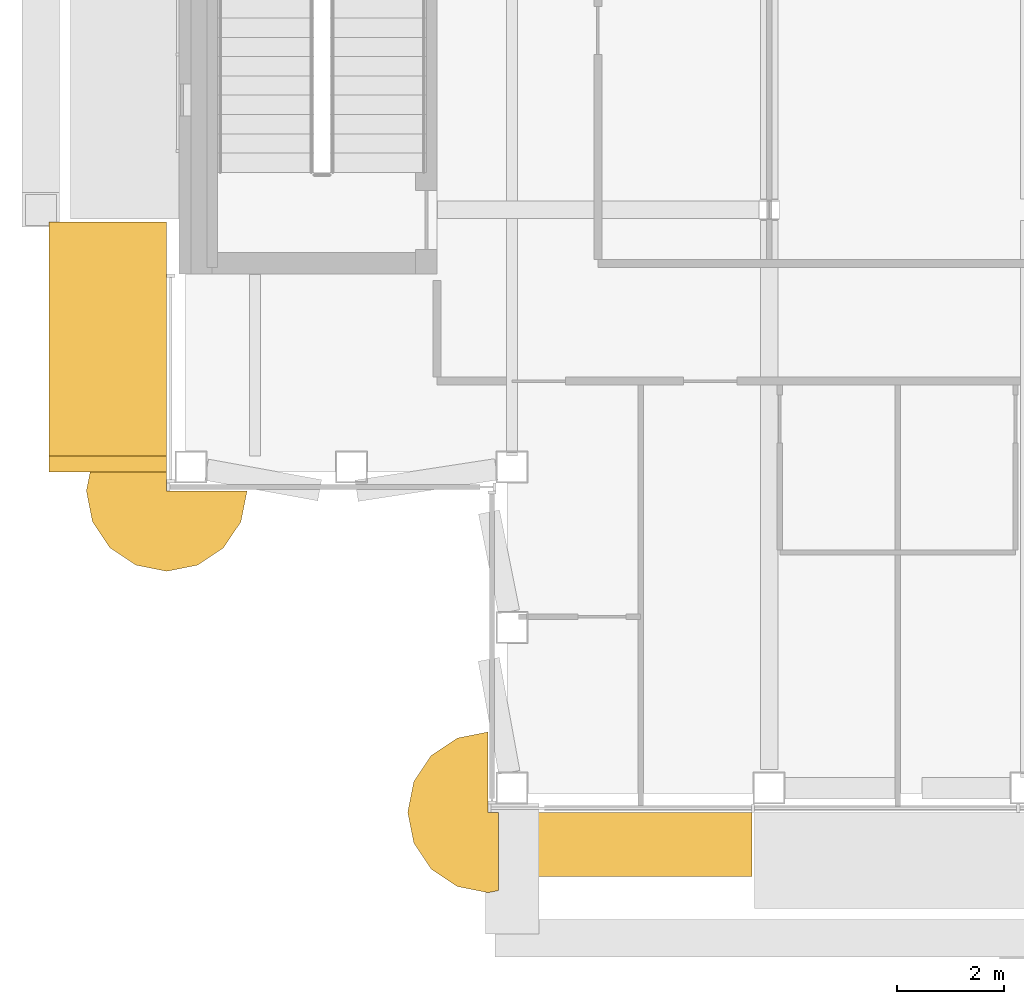
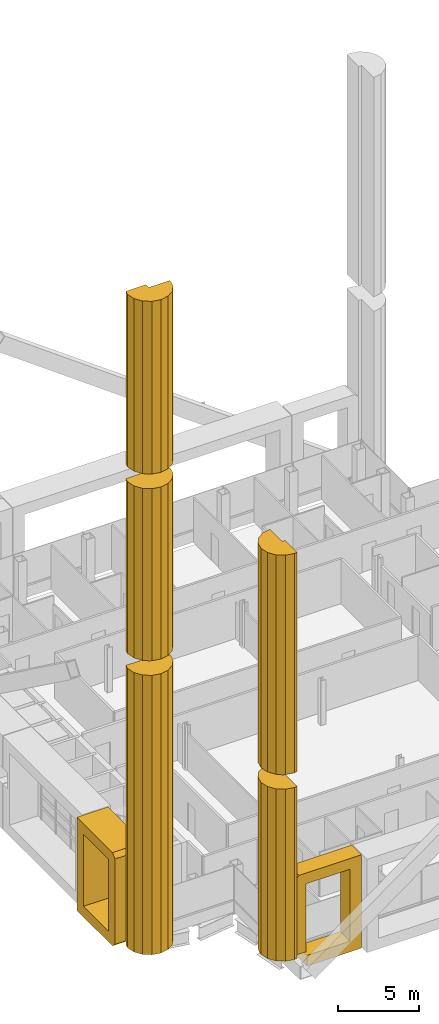
# One storey, part 17 of 29: 7 coverings.
"""IFC4 building model written with IfcOpenShell, lengths in metres."""

from ifc_helpers import new_model, si_unit, direction, frame, origin, place, context, subcontext, project, spatial, polyline, outline, extrude, material, type_object, element, save


model = new_model("IFC4")

# Units and contexts
model_context = context("Model", 3, precision=1e-05, world=origin(), true_north=direction((0.0, 1.0)))
body_context = subcontext(model_context, "Body", "Model", "MODEL_VIEW")
ifc_project = project(units=[si_unit("LENGTHUNIT", "METRE"), si_unit("AREAUNIT", "SQUARE_METRE"), si_unit("VOLUMEUNIT", "CUBIC_METRE"), si_unit("PLANEANGLEUNIT", "RADIAN"), si_unit("MASSUNIT", "GRAM", prefix="KILO")], contexts=[model_context])

# Site, building, storey
site_placement = place(None, origin())
site = spatial("IfcSite", under=ifc_project, at=site_placement, CompositionType="ELEMENT")
building_placement = place(site_placement, origin())
building = spatial("IfcBuilding", under=site, at=building_placement, Name="Cobrizo Arcos Hotel Tower", CompositionType="ELEMENT")
storey_placement = place(building_placement, frame((0.0, 0.0, 241.0)))
storey = spatial("IfcBuildingStorey", under=building, at=storey_placement, Name="L63", CompositionType="ELEMENT", Elevation=241.0)

# Coverings
ifc_material_1 = material(Name="Aluminium 6063-T6 anodised bronze", Category="aluminium")
covering_type_1 = type_object("IfcCoveringType", Name="FIN-F 1200", PredefinedType="CLADDING", material=ifc_material_1)
covering_1_placement = place(storey_placement, frame((-14.64990234375, -20.85009765625, 0.0), z_axis=(0.0, -1.0, 0.0), x_axis=(1.0, 0.0, 0.0)))
element("IfcCovering", 1, at=covering_1_placement, inside=storey, type_object=covering_type_1, Name="Fin frame 407", PredefinedType="CLADDING", context=body_context, shape_type="SweptSolid", body=[
    extrude(outline(polyline([(0.0, 6.699951171875), (0.0, 1.10205078125), (0.800048828125, 1.10205078125), (0.800048828125, 6.199951171875), (3.925048828125, 6.199951171875), (3.925048828125, 0.800048828125), (0.85205078125, 0.800048828125), (0.85205078125, 0.0), (4.72509765625, 0.0), (4.72509765625, 7.0), (0.300048828125, 7.0), (0.0, 6.699951171875)])), origin(), (0.0, 0.0, 1.0), 1.199951171875),
])
covering_type_2 = type_object("IfcCoveringType", Name="FIN-F 2200", PredefinedType="CLADDING", material=ifc_material_1)
covering_2_placement = place(storey_placement, frame((-20.85009765625, -9.824951171875, 0.0), z_axis=(-1.0, 0.0, 0.0), x_axis=(0.0, -1.0, 0.0)))
element("IfcCovering", 2, at=covering_2_placement, inside=storey, type_object=covering_type_2, Name="Fin frame 426", PredefinedType="CLADDING", context=body_context, shape_type="SweptSolid", body=[
    extrude(outline(polyline([(0.0, 7.0), (0.0, 0.0), (4.375, 0.0), (4.675048828125, 0.300048828125), (4.675048828125, 6.699951171875), (4.375, 7.0), (0.0, 7.0)]), holes=[polyline([(3.875, 0.800048828125), (0.800048828125, 0.800048828125), (0.800048828125, 6.199951171875), (3.875, 6.199951171875), (3.875, 0.800048828125)])]), origin(), (0.0, 0.0, 1.0), 2.199951171875),
])
ifc_material_2 = material(Name="Aluminium 6063-T6 anodised pale", Category="aluminium")
covering_type_3 = type_object("IfcCoveringType", Name="RB-2 notch bullnose roll R1500", PredefinedType="CLADDING", material=ifc_material_2)
covering_3_placement = place(storey_placement, frame((0.0, 0.0, 1.050048828125)))
element("IfcCovering", 3, at=covering_3_placement, inside=storey, type_object=covering_type_3, Name="Notch bullnose roll 37", PredefinedType="CLADDING", context=body_context, shape_type="SweptSolid", body=[
    extrude(outline(polyline([(-15.91064453125, -19.789306640625), (-16.23583984375, -20.27587890625), (-16.35009765625, -20.85009765625), (-16.23583984375, -21.424072265625), (-15.91064453125, -21.91064453125), (-15.424072265625, -22.23583984375), (-14.85009765625, -22.35009765625), (-14.64990234375, -22.310302734375), (-14.64990234375, -20.85009765625), (-14.85009765625, -20.85009765625), (-14.85009765625, -19.35009765625), (-15.424072265625, -19.464111328125), (-15.91064453125, -19.789306640625)])), origin(), (0.0, 0.0, 1.0), 12.89990234375),
])
covering_4_placement = place(storey_placement, frame((0.0, 0.0, 15.050048828125)))
element("IfcCovering", 4, at=covering_4_placement, inside=storey, type_object=covering_type_3, Name="Notch bullnose roll 37 part 2", PredefinedType="CLADDING", context=body_context, shape_type="SweptSolid", body=[
    extrude(outline(polyline([(-15.91064453125, -19.789306640625), (-16.23583984375, -20.27587890625), (-16.35009765625, -20.85009765625), (-16.23583984375, -21.424072265625), (-15.91064453125, -21.91064453125), (-15.424072265625, -22.23583984375), (-14.85009765625, -22.35009765625), (-14.64990234375, -22.310302734375), (-14.64990234375, -20.85009765625), (-14.85009765625, -20.85009765625), (-14.85009765625, -19.35009765625), (-15.424072265625, -19.464111328125), (-15.91064453125, -19.789306640625)])), origin(), (0.0, 0.0, 1.0), 16.449951171875),
])
covering_5_placement = place(storey_placement, origin())
element("IfcCovering", 5, at=covering_5_placement, inside=storey, type_object=covering_type_3, Name="Notch bullnose roll 40", PredefinedType="CLADDING", context=body_context, shape_type="SweptSolid", body=[
    extrude(outline(polyline([(-19.789306640625, -15.91064453125), (-19.464111328125, -15.424072265625), (-19.35009765625, -14.85009765625), (-20.85009765625, -14.85009765625), (-20.85009765625, -14.5), (-22.280517578125, -14.5), (-22.35009765625, -14.85009765625), (-22.23583984375, -15.424072265625), (-21.91064453125, -15.91064453125), (-21.424072265625, -16.23583984375), (-20.85009765625, -16.35009765625), (-20.27587890625, -16.23583984375), (-19.789306640625, -15.91064453125)])), origin(), (0.0, 0.0, 1.0), 20.949951171875),
])
covering_6_placement = place(storey_placement, frame((0.0, 0.0, 22.050048828125)))
element("IfcCovering", 6, at=covering_6_placement, inside=storey, type_object=covering_type_3, Name="Notch bullnose roll 40 part 2", PredefinedType="CLADDING", context=body_context, shape_type="SweptSolid", body=[
    extrude(outline(polyline([(-19.789306640625, -15.91064453125), (-19.464111328125, -15.424072265625), (-19.35009765625, -14.85009765625), (-20.85009765625, -14.85009765625), (-20.85009765625, -14.5), (-22.280517578125, -14.5), (-22.35009765625, -14.85009765625), (-22.23583984375, -15.424072265625), (-21.91064453125, -15.91064453125), (-21.424072265625, -16.23583984375), (-20.85009765625, -16.35009765625), (-20.27587890625, -16.23583984375), (-19.789306640625, -15.91064453125)])), origin(), (0.0, 0.0, 1.0), 12.89990234375),
])
covering_7_placement = place(storey_placement, frame((0.0, 0.0, 36.050048828125)))
element("IfcCovering", 7, at=covering_7_placement, inside=storey, type_object=covering_type_3, Name="Notch bullnose roll 40 part 3", PredefinedType="CLADDING", context=body_context, shape_type="SweptSolid", body=[
    extrude(outline(polyline([(-19.789306640625, -15.91064453125), (-19.464111328125, -15.424072265625), (-19.35009765625, -14.85009765625), (-20.85009765625, -14.85009765625), (-20.85009765625, -14.5), (-22.280517578125, -14.5), (-22.35009765625, -14.85009765625), (-22.23583984375, -15.424072265625), (-21.91064453125, -15.91064453125), (-21.424072265625, -16.23583984375), (-20.85009765625, -16.35009765625), (-20.27587890625, -16.23583984375), (-19.789306640625, -15.91064453125)])), origin(), (0.0, 0.0, 1.0), 12.949951171875),
])

save(model, "model.ifc")
